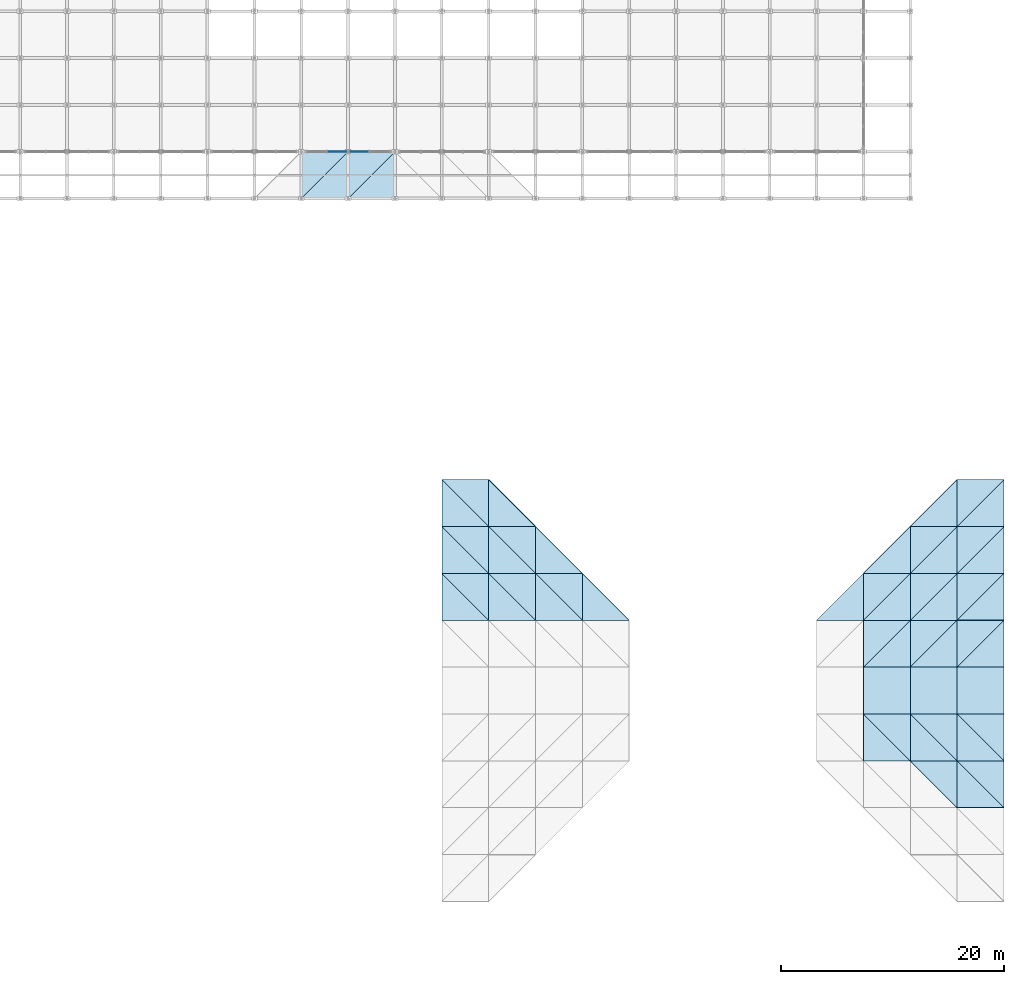
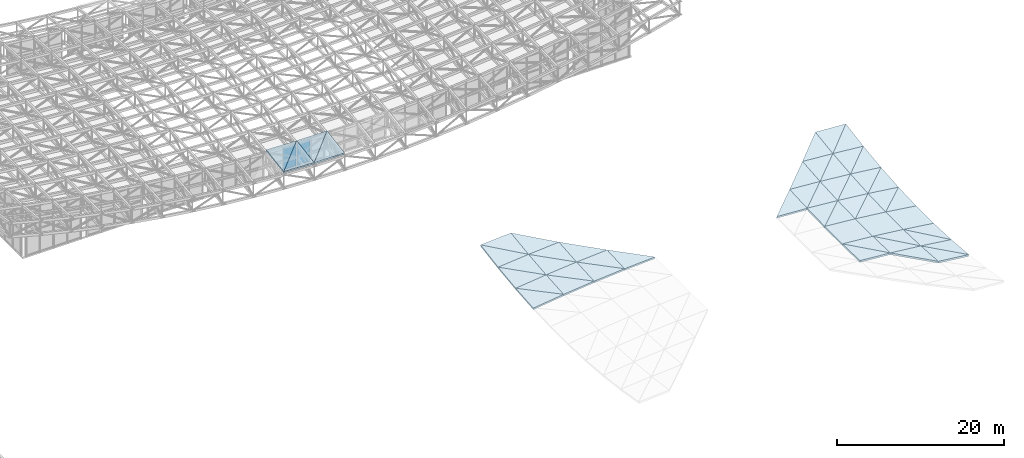
# One storey, part 67 of 111: 52 slabs, 2 plates, 2 elements without a shape of their own.
"""IFC4 building model written with IfcOpenShell, lengths in metres."""

from ifc_helpers import new_model, si_unit, direction, frame, origin, origin_2d, place, context, subcontext, project, spatial, polyline, rectangle, outline, extrude, material, layer, layer_set, type_object, element, aggregate, save


model = new_model("IFC4")

# Units and contexts
model_context = context("Model", 3, precision=1e-05, world=origin(), true_north=direction((0.0, 1.0)))
body_context = subcontext(model_context, "Body", "Model", "MODEL_VIEW")
ifc_project = project(units=[si_unit("LENGTHUNIT", "METRE"), si_unit("AREAUNIT", "SQUARE_METRE"), si_unit("VOLUMEUNIT", "CUBIC_METRE"), si_unit("PLANEANGLEUNIT", "RADIAN"), si_unit("MASSUNIT", "GRAM", prefix="KILO")], contexts=[model_context])

# Site, building, storey
site_placement = place(None, origin())
site = spatial("IfcSite", under=ifc_project, at=site_placement, CompositionType="ELEMENT")
building_placement = place(site_placement, origin())
building = spatial("IfcBuilding", under=site, at=building_placement, Name="Cumbredor Promenade Congress Hotel", CompositionType="ELEMENT")
storey_placement = place(building_placement, frame((0.0, 0.0, 15.1201171875)))
storey = spatial("IfcBuildingStorey", under=building, at=storey_placement, Name="L04", CompositionType="ELEMENT", Elevation=15.1201171875)

# Slabs
ifc_material_1 = material(Name="Concrete C40/50", Category="concrete")
ifc_layer_1 = layer(ifc_material_1, 0.25, Name="Concrete C40/50", Category="concrete")
ifc_layer_set_1 = layer_set([ifc_layer_1], Name="Concrete C40/50")
slab_type = type_object("IfcSlabType", Name="Catenary Space Frame Roof Deck 250mm", PredefinedType="ROOF", material=ifc_layer_set_1)
slab_1_placement = place(storey_placement, frame((138.60009765625, 42.0, 1.879150390625), z_axis=(-0.128557595316, -0.083349897589, 0.988193169), x_axis=(0.991643748834, 0.0, 0.129006493628)))
element("IfcSlab", 1, at=slab_1_placement, inside=storey, type_object=slab_type, Name="Grand Ballroom Pavilion Sweeping Roof Deck Facet 1.11.1", PredefinedType="ROOF", context=body_context, shape_type="SweptSolid", body=[
    extrude(outline(polyline([(0.0, 0.0), (4.2353427597492725, 0.0), (0.045700298402079224, 4.21461659081522), (0.0, 0.0)])), origin(), (0.0, 0.0, -1.0), 0.25),
])
slab_2_placement = place(storey_placement, frame((142.800048828125, 42.0, 2.425537109375), z_axis=(-0.114578573817, -0.069242556927, 0.990998092194), x_axis=(0.0, 0.997567885994, 0.069701598498)))
element("IfcSlab", 2, at=slab_2_placement, inside=storey, type_object=slab_type, Name="Grand Ballroom Pavilion Sweeping Roof Deck Facet 1.11.2", PredefinedType="ROOF", context=body_context, shape_type="SweptSolid", body=[
    extrude(outline(polyline([(0.0, 0.0), (4.21019083597457, 6.938893903907228e-18), (4.176344039242889, 4.227794629281164), (0.0, 0.0)])), origin(), (0.0, 0.0, -1.0), 0.25),
])
slab_3_placement = place(storey_placement, frame((138.60009765625, 46.199951171875, 2.2333984375), z_axis=(-0.113957332727, -0.124728563775, 0.985624934595), x_axis=(0.993382355075, 0.0, 0.114854240786)))
element("IfcSlab", 3, at=slab_3_placement, inside=storey, type_object=slab_type, Name="Grand Ballroom Pavilion Sweeping Roof Deck Facet 1.12.1", PredefinedType="ROOF", context=body_context, shape_type="SweptSolid", body=[
    extrude(outline(polyline([(0.0, 0.0), (4.227930112126695, 6.938893903907228e-18), (0.06104435600374476, 4.233007140822346), (0.0, 0.0)])), origin(), (0.0, 0.0, -1.0), 0.25),
])
slab_4_placement = place(storey_placement, frame((142.800048828125, 46.199951171875, 2.718994140625), z_axis=(-0.092963249321, -0.103784977416, 0.990245683019), x_axis=(0.0, 0.99455255237, 0.104236368768)))
element("IfcSlab", 4, at=slab_4_placement, inside=storey, type_object=slab_type, Name="Grand Ballroom Pavilion Sweeping Roof Deck Facet 1.12.2", PredefinedType="ROOF", context=body_context, shape_type="SweptSolid", body=[
    extrude(outline(polyline([(0.0, 0.0), (4.222955500808863, 0.0), (4.18185644427541, 4.218217993217697), (0.0, 0.0)])), origin(), (0.0, 0.0, -1.0), 0.25),
])
slab_5_placement = place(storey_placement, frame((138.60009765625, 50.39990234375, 2.764892578125), z_axis=(-0.092176241814, -0.165679304138, 0.981862469303), x_axis=(0.995622284371, 0.0, 0.093467999143)))
element("IfcSlab", 5, at=slab_5_placement, inside=storey, type_object=slab_type, Name="Grand Ballroom Pavilion Sweeping Roof Deck Facet 1.13.1", PredefinedType="ROOF", context=body_context, shape_type="SweptSolid", body=[
    extrude(outline(polyline([(0.0, 0.0), (4.218418207190164, 0.0), (0.06624453161926187, 4.2590568257537305), (0.0, 0.0)])), origin(), (0.0, 0.0, -1.0), 0.25),
])
slab_6_placement = place(storey_placement, frame((142.800048828125, 50.39990234375, 3.1591796875), z_axis=(-0.064059286663, -0.138049792157, 0.988351487416), x_axis=(0.0, 0.99038564581, 0.138333916931)))
element("IfcSlab", 6, at=slab_6_placement, inside=storey, type_object=slab_type, Name="Grand Ballroom Pavilion Sweeping Roof Deck Facet 1.13.2", PredefinedType="ROOF", context=body_context, shape_type="SweptSolid", body=[
    extrude(outline(polyline([(0.0, 0.0), (4.240969495337096, 0.0), (4.203312679570959, 4.208595228203994), (0.0, 0.0)])), origin(), (0.0, 0.0, -1.0), 0.25),
])
slab_7_placement = place(storey_placement, frame((142.800048828125, 42.0, 2.425537109375), z_axis=(-0.105582595074, -0.069312003976, 0.991992016965), x_axis=(0.99438347829, 0.0, 0.105837130079)))
element("IfcSlab", 7, at=slab_7_placement, inside=storey, type_object=slab_type, Name="Grand Ballroom Pavilion Sweeping Roof Deck Facet 2.11.1", PredefinedType="ROOF", context=body_context, shape_type="SweptSolid", body=[
    extrude(outline(polyline([(0.0, 0.0), (4.223673525928231, 0.0), (0.03105864998901073, 4.210076274319161), (0.0, 0.0)])), origin(), (0.0, 0.0, -1.0), 0.25),
])
slab_8_placement = place(storey_placement, frame((147.0, 42.0, 2.87255859375), z_axis=(-0.093942765329, -0.057602052296, 0.993909835153), x_axis=(0.0, 0.99832482726, 0.057857923198)))
element("IfcSlab", 8, at=slab_8_placement, inside=storey, type_object=slab_type, Name="Grand Ballroom Pavilion Sweeping Roof Deck Facet 2.11.2", PredefinedType="ROOF", context=body_context, shape_type="SweptSolid", body=[
    extrude(outline(polyline([(0.0, 0.0), (4.206998621283674, 0.0), (4.184030607826591, 4.218607543526916), (0.0, 0.0)])), origin(), (0.0, 0.0, -1.0), 0.25),
])
slab_9_placement = place(storey_placement, frame((142.800048828125, 46.199951171875, 2.718994140625), z_axis=(-0.093590907895, -0.103778848054, 0.990187200814), x_axis=(0.995562844443, 0.0, 0.094099005119)))
element("IfcSlab", 9, at=slab_9_placement, inside=storey, type_object=slab_type, Name="Grand Ballroom Pavilion Sweeping Roof Deck Facet 2.12.1", PredefinedType="ROOF", context=body_context, shape_type="SweptSolid", body=[
    extrude(outline(polyline([(0.0, 0.0), (4.218670067206532, 0.0), (0.04142102202875892, 4.222752356076061), (0.0, 0.0)])), origin(), (0.0, 0.0, -1.0), 0.25),
])
slab_10_placement = place(storey_placement, frame((147.0, 46.199951171875, 3.115966796875), z_axis=(-0.076219558009, -0.086439907833, 0.993337163963), x_axis=(0.0, 0.996235153728, 0.08669209005)))
element("IfcSlab", 10, at=slab_10_placement, inside=storey, type_object=slab_type, Name="Grand Ballroom Pavilion Sweeping Roof Deck Facet 2.12.2", PredefinedType="ROOF", context=body_context, shape_type="SweptSolid", body=[
    extrude(outline(polyline([(0.0, 0.0), (4.215823097749435, 0.0), (4.1878852171669125, 4.212204227482257), (0.0, 0.0)])), origin(), (0.0, 0.0, -1.0), 0.25),
])
slab_11_placement = place(storey_placement, frame((142.800048828125, 50.39990234375, 3.1591796875), z_axis=(-0.075774603391, -0.137936203025, 0.987538259196), x_axis=(0.997069127511, 0.0, 0.076505914568)))
element("IfcSlab", 11, at=slab_11_placement, inside=storey, type_object=slab_type, Name="Grand Ballroom Pavilion Sweeping Roof Deck Facet 2.13.1", PredefinedType="ROOF", context=body_context, shape_type="SweptSolid", body=[
    extrude(outline(polyline([(0.0, 0.0), (4.212296876905856, -6.938893903907228e-18), (0.04488371892263795, 4.240731978344713), (0.0, 0.0)])), origin(), (0.0, 0.0, -1.0), 0.25),
])
slab_12_placement = place(storey_placement, frame((147.0, 42.0, 2.87255859375), z_axis=(-0.082299424482, -0.057661648776, 0.994938158375), x_axis=(0.996596312275, 0.0, 0.082436583873)))
element("IfcSlab", 12, at=slab_12_placement, inside=storey, type_object=slab_type, Name="Grand Ballroom Pavilion Sweeping Roof Deck Facet 3.11.1", PredefinedType="ROOF", context=body_context, shape_type="SweptSolid", body=[
    extrude(outline(polyline([(0.0, 0.0), (4.214295317117035, 0.0), (0.020065740752283952, 4.206950768137273), (0.0, 0.0)])), origin(), (0.0, 0.0, -1.0), 0.25),
])
slab_13_placement = place(storey_placement, frame((151.199951171875, 42.0, 3.219970703125), z_axis=(-0.073306475585, -0.048639367687, 0.996122669428), x_axis=(0.0, 0.998810006887, 0.048770586862)))
element("IfcSlab", 13, at=slab_13_placement, inside=storey, type_object=slab_type, Name="Grand Ballroom Pavilion Sweeping Roof Deck Facet 3.11.2", PredefinedType="ROOF", context=body_context, shape_type="SweptSolid", body=[
    extrude(outline(polyline([(0.0, 0.0), (4.204955039413347, 0.0), (4.189880927360823, 4.211281790538558), (0.0, 0.0)])), origin(), (0.0, 0.0, -1.0), 0.25),
])
slab_14_placement = place(storey_placement, frame((147.0, 46.199951171875, 3.115966796875), z_axis=(-0.073118508929, -0.086460037809, 0.9935684906), x_axis=(0.997303071851, 0.0, 0.073393343543)))
element("IfcSlab", 14, at=slab_14_placement, inside=storey, type_object=slab_type, Name="Grand Ballroom Pavilion Sweeping Roof Deck Facet 3.12.1", PredefinedType="ROOF", context=body_context, shape_type="SweptSolid", body=[
    extrude(outline(polyline([(0.0, 0.0), (4.211308769037935, 0.0), (0.026823690254708158, 4.2157377623802414), (0.0, 0.0)])), origin(), (0.0, 0.0, -1.0), 0.25),
])
slab_15_placement = place(storey_placement, frame((151.199951171875, 42.0, 3.219970703125), z_axis=(-0.058944578235, -0.048685787332, 0.997073332714), x_axis=(0.998257121983, 0.0, 0.05901456101)))
element("IfcSlab", 15, at=slab_15_placement, inside=storey, type_object=slab_type, Name="Grand Ballroom Pavilion Sweeping Roof Deck Facet 4.11.1", PredefinedType="ROOF", context=body_context, shape_type="SweptSolid", body=[
    extrude(outline(polyline([(0.0, 0.0), (4.20728395459283, 0.0), (0.012102595519642914, 4.204937622684717), (0.0, 0.0)])), origin(), (0.0, 0.0, -1.0), 0.25),
])
slab_16_placement = place(storey_placement, frame((172.199951171875, 42.0, 3.46826171875), z_axis=(0.058944578235, -0.048685787332, 0.997073332714), x_axis=(0.998257121983, 0.0, -0.05901456101)))
element("IfcSlab", 16, at=slab_16_placement, inside=storey, type_object=slab_type, Name="Grand Ballroom Pavilion Sweeping Roof Deck Facet 9.11.1", PredefinedType="ROOF", context=body_context, shape_type="SweptSolid", body=[
    extrude(outline(polyline([(0.0, 0.0), (4.20728395459283, 0.0), (4.195181359073187, 4.204937622684717), (0.0, 0.0)])), origin(), (0.0, 0.0, -1.0), 0.25),
])
slab_17_placement = place(storey_placement, frame((176.39990234375, 29.39990234375, 3.219970703125), z_axis=(0.082407554088, 0.02426476821, 0.996303275139), x_axis=(0.996596705931, 0.0, -0.082431824723)))
element("IfcSlab", 17, at=slab_17_placement, inside=storey, type_object=slab_type, Name="Grand Ballroom Pavilion Sweeping Roof Deck Facet 10.8.1", PredefinedType="ROOF", context=body_context, shape_type="SweptSolid", body=[
    extrude(outline(polyline([(0.0, 0.0), (4.214538626811642, 0.0), (0.008432357070085737, 4.2014323521321435), (0.0, 0.0)])), origin(), (0.0, 0.0, -1.0), 0.25),
])
slab_18_placement = place(storey_placement, frame((180.60009765625, 29.39990234375, 2.87255859375), z_axis=(0.086995596373, 0.028882769521, 0.995789913504), x_axis=(0.0, 0.999579623616, -0.028992689618)))
element("IfcSlab", 18, at=slab_18_placement, inside=storey, type_object=slab_type, Name="Grand Ballroom Pavilion Sweeping Roof Deck Facet 10.8.2", PredefinedType="ROOF", context=body_context, shape_type="SweptSolid", body=[
    extrude(outline(polyline([(0.0, 0.0), (4.2019617179718205, -1.734723475976807e-18), (4.191323043046151, 4.216180132623868), (0.0, 0.0)])), origin(), (0.0, 0.0, -1.0), 0.25),
])
slab_19_placement = place(storey_placement, frame((176.39990234375, 33.60009765625, 3.11767578125), z_axis=(0.08703190558, 0.0, 0.996205524684), x_axis=(0.996205524684, 0.0, -0.08703190558)))
element("IfcSlab", 19, at=slab_19_placement, inside=storey, type_object=slab_type, Name="Grand Ballroom Pavilion Sweeping Roof Deck Facet 10.9", PredefinedType="ROOF", context=body_context, shape_type="SweptSolid", body=[
    extrude(outline(polyline([(0.0, 0.0), (4.216193554871074, 0.0), (4.216193554871074, 4.199951171874999), (0.0, 4.199951171874999), (0.0, 0.0)])), origin(), (0.0, 0.0, -1.0), 0.25),
])
slab_20_placement = place(storey_placement, frame((176.39990234375, 37.800048828125, 3.11767578125), z_axis=(0.086995592154, -0.028884447058, 0.995789865215), x_axis=(0.996205524684, 0.0, -0.08703190558)))
element("IfcSlab", 20, at=slab_20_placement, inside=storey, type_object=slab_type, Name="Grand Ballroom Pavilion Sweeping Roof Deck Facet 10.10.1", PredefinedType="ROOF", context=body_context, shape_type="SweptSolid", body=[
    extrude(outline(polyline([(0.0, 0.0), (4.216193554871074, 1.734723475976807e-18), (4.205590790983263, 4.201704302266623), (0.0, 0.0)])), origin(), (0.0, 0.0, -1.0), 0.25),
])
slab_21_placement = place(storey_placement, frame((176.39990234375, 37.800048828125, 3.11767578125), z_axis=(0.082407551267, -0.024266177876, 0.996303241039), x_axis=(0.706525996172, 0.70648492863, -0.041231812378)))
element("IfcSlab", 21, at=slab_21_placement, inside=storey, type_object=slab_type, Name="Grand Ballroom Pavilion Sweeping Roof Deck Facet 10.10.2", PredefinedType="ROOF", context=body_context, shape_type="SweptSolid", body=[
    extrude(outline(polyline([(0.0, 0.0), (5.944856007077805, 6.38378239159465e-16), (2.962984398884889, 2.9783850572315784), (0.0, 0.0)])), origin(), (0.0, 0.0, -1.0), 0.25),
])
slab_22_placement = place(storey_placement, frame((176.39990234375, 42.0, 3.219970703125), z_axis=(0.082294673143, -0.057661671477, 0.99493855007), x_axis=(0.996596705931, 0.0, -0.082431824723)))
element("IfcSlab", 22, at=slab_22_placement, inside=storey, type_object=slab_type, Name="Grand Ballroom Pavilion Sweeping Roof Deck Facet 10.11.1", PredefinedType="ROOF", context=body_context, shape_type="SweptSolid", body=[
    extrude(outline(polyline([(0.0, 0.0), (4.214538626811642, 0.0), (4.194474044475424, 4.206950773662369), (0.0, 0.0)])), origin(), (0.0, 0.0, -1.0), 0.25),
])
slab_23_placement = place(storey_placement, frame((176.39990234375, 42.0, 3.219970703125), z_axis=(0.073302237468, -0.04863938288, 0.996122980568), x_axis=(0.707018958571, 0.706977862375, -0.01750697956)))
element("IfcSlab", 23, at=slab_23_placement, inside=storey, type_object=slab_type, Name="Grand Ballroom Pavilion Sweeping Roof Deck Facet 10.11.2", PredefinedType="ROOF", context=body_context, shape_type="SweptSolid", body=[
    extrude(outline(polyline([(0.0, 0.0), (5.940711011469622, 4.354155924701786e-16), (2.965682203027972, 2.9810025082396123), (0.0, 0.0)])), origin(), (0.0, 0.0, -1.0), 0.25),
])
slab_24_placement = place(storey_placement, frame((176.39990234375, 46.199951171875, 3.425048828125), z_axis=(0.073114281561, -0.086460064677, 0.993568799353), x_axis=(0.997303384098, 0.0, -0.073389100457)))
element("IfcSlab", 24, at=slab_24_placement, inside=storey, type_object=slab_type, Name="Grand Ballroom Pavilion Sweeping Roof Deck Facet 10.12.1", PredefinedType="ROOF", context=body_context, shape_type="SweptSolid", body=[
    extrude(outline(polyline([(0.0, 0.0), (4.211552251271328, 0.0), (4.184730111773116, 4.215737772247032), (0.0, 0.0)])), origin(), (0.0, 0.0, -1.0), 0.25),
])
slab_25_placement = place(storey_placement, frame((184.800048828125, 25.199951171875, 2.718994140625), z_axis=(0.105582595074, 0.069312003976, 0.991992016965), x_axis=(0.0, 0.997567885994, -0.069701598498)))
element("IfcSlab", 25, at=slab_25_placement, inside=storey, type_object=slab_type, Name="Grand Ballroom Pavilion Sweeping Roof Deck Facet 11.7.2", PredefinedType="ROOF", context=body_context, shape_type="SweptSolid", body=[
    extrude(outline(polyline([(0.0, 0.0), (4.21019083597457, 3.469446951953614e-18), (4.179032723950584, 4.223558597401262), (0.0, 0.0)])), origin(), (0.0, 0.0, -1.0), 0.25),
])
slab_26_placement = place(storey_placement, frame((180.60009765625, 29.39990234375, 2.87255859375), z_axis=(0.105793136709, 0.028829987275, 0.993970142438), x_axis=(0.99438347829, 0.0, -0.105837130079)))
element("IfcSlab", 26, at=slab_26_placement, inside=storey, type_object=slab_type, Name="Grand Ballroom Pavilion Sweeping Roof Deck Facet 11.8.1", PredefinedType="ROOF", context=body_context, shape_type="SweptSolid", body=[
    extrude(outline(polyline([(0.0, 0.0), (4.223673525928231, 0.0), (0.012893732399764024, 4.201941935696576), (0.0, 0.0)])), origin(), (0.0, 0.0, -1.0), 0.25),
])
slab_27_placement = place(storey_placement, frame((184.800048828125, 29.39990234375, 2.425537109375), z_axis=(0.111594208283, 0.034694371845, 0.993148041955), x_axis=(0.0, 0.99939037495, -0.03491243986)))
element("IfcSlab", 27, at=slab_27_placement, inside=storey, type_object=slab_type, Name="Grand Ballroom Pavilion Sweeping Roof Deck Facet 11.8.2", PredefinedType="ROOF", context=body_context, shape_type="SweptSolid", body=[
    extrude(outline(polyline([(0.0, 0.0), (4.202757418700786, 0.0), (4.1862814064330465, 4.226349546204869), (0.0, 0.0)])), origin(), (0.0, 0.0, -1.0), 0.25),
])
slab_28_placement = place(storey_placement, frame((180.60009765625, 33.60009765625, 2.750732421875), z_axis=(0.11166143192, 0.0, 0.993746307979), x_axis=(0.993746307979, 0.0, -0.11166143192)))
element("IfcSlab", 28, at=slab_28_placement, inside=storey, type_object=slab_type, Name="Grand Ballroom Pavilion Sweeping Roof Deck Facet 11.9", PredefinedType="ROOF", context=body_context, shape_type="SweptSolid", body=[
    extrude(outline(polyline([(0.0, 0.0), (4.226381661147789, 0.0), (4.226381661147789, 4.199951171875), (0.0, 4.199951171875), (0.0, 0.0)])), origin(), (0.0, 0.0, -1.0), 0.25),
])
slab_29_placement = place(storey_placement, frame((180.60009765625, 37.800048828125, 2.750732421875), z_axis=(0.111594200475, -0.03469638618, 0.993147972463), x_axis=(0.993746307979, 0.0, -0.11166143192)))
element("IfcSlab", 29, at=slab_29_placement, inside=storey, type_object=slab_type, Name="Grand Ballroom Pavilion Sweeping Roof Deck Facet 11.10.1", PredefinedType="ROOF", context=body_context, shape_type="SweptSolid", body=[
    extrude(outline(polyline([(0.0, 0.0), (4.226381661147789, -3.469446951953614e-18), (4.209997744989577, 4.202481489634788), (0.0, 0.0)])), origin(), (0.0, 0.0, -1.0), 0.25),
])
slab_30_placement = place(storey_placement, frame((180.60009765625, 37.800048828125, 2.750732421875), z_axis=(0.105793131597, -0.028831661752, 0.993970094413), x_axis=(0.706049355032, 0.706049355032, -0.054668240476)))
element("IfcSlab", 30, at=slab_30_placement, inside=storey, type_object=slab_type, Name="Grand Ballroom Pavilion Sweeping Roof Deck Facet 11.10.2", PredefinedType="ROOF", context=body_context, shape_type="SweptSolid", body=[
    extrude(outline(polyline([(0.0, 0.0), (5.94852348768502, 7.28583859910259e-17), (2.9587127936095587, 2.9833622085189435), (0.0, 0.0)])), origin(), (0.0, 0.0, -1.0), 0.25),
])
slab_31_placement = place(storey_placement, frame((180.60009765625, 42.0, 2.87255859375), z_axis=(0.105582595074, -0.069312003976, 0.991992016965), x_axis=(0.99438347829, 0.0, -0.105837130079)))
element("IfcSlab", 31, at=slab_31_placement, inside=storey, type_object=slab_type, Name="Grand Ballroom Pavilion Sweeping Roof Deck Facet 11.11.1", PredefinedType="ROOF", context=body_context, shape_type="SweptSolid", body=[
    extrude(outline(polyline([(0.0, 0.0), (4.223673525928231, 0.0), (4.1926148759392206, 4.210076274319161), (0.0, 0.0)])), origin(), (0.0, 0.0, -1.0), 0.25),
])
slab_32_placement = place(storey_placement, frame((180.60009765625, 42.0, 2.87255859375), z_axis=(0.093942765329, -0.057602052296, 0.993909835153), x_axis=(0.706870570107, 0.706870570107, -0.02584558441)))
element("IfcSlab", 32, at=slab_32_placement, inside=storey, type_object=slab_type, Name="Grand Ballroom Pavilion Sweeping Roof Deck Facet 11.11.2", PredefinedType="ROOF", context=body_context, shape_type="SweptSolid", body=[
    extrude(outline(polyline([(0.0, 0.0), (5.94161272160446, -1.97758476261356e-16), (2.962530852024616, 2.98701328257593), (0.0, 0.0)])), origin(), (0.0, 0.0, -1.0), 0.25),
])
slab_33_placement = place(storey_placement, frame((180.60009765625, 46.199951171875, 3.115966796875), z_axis=(0.093590907895, -0.103778848054, 0.990187200814), x_axis=(0.995562844443, 0.0, -0.094099005119)))
element("IfcSlab", 33, at=slab_33_placement, inside=storey, type_object=slab_type, Name="Grand Ballroom Pavilion Sweeping Roof Deck Facet 11.12.1", PredefinedType="ROOF", context=body_context, shape_type="SweptSolid", body=[
    extrude(outline(polyline([(0.0, 0.0), (4.218670067206532, 0.0), (4.177249045177773, 4.222752356076061), (0.0, 0.0)])), origin(), (0.0, 0.0, -1.0), 0.25),
])
slab_34_placement = place(storey_placement, frame((180.60009765625, 46.199951171875, 3.115966796875), z_axis=(0.076219558009, -0.086439907833, 0.993337163963), x_axis=(0.707088068079, 0.707088068079, 0.007275160614)))
element("IfcSlab", 34, at=slab_34_placement, inside=storey, type_object=slab_type, Name="Grand Ballroom Pavilion Sweeping Roof Deck Facet 11.12.2", PredefinedType="ROOF", context=body_context, shape_type="SweptSolid", body=[
    extrude(outline(polyline([(0.0, 0.0), (5.93978510101035, 2.8189256484623115e-16), (2.9723942750475123, 2.9896549408221706), (0.0, 0.0)])), origin(), (0.0, 0.0, -1.0), 0.25),
])
slab_35_placement = place(storey_placement, frame((180.60009765625, 50.39990234375, 3.4814453125), z_axis=(0.075774603391, -0.137936203025, 0.987538259196), x_axis=(0.997069127511, 0.0, -0.076505914568)))
element("IfcSlab", 35, at=slab_35_placement, inside=storey, type_object=slab_type, Name="Grand Ballroom Pavilion Sweeping Roof Deck Facet 11.13.1", PredefinedType="ROOF", context=body_context, shape_type="SweptSolid", body=[
    extrude(outline(polyline([(0.0, 0.0), (4.212296876905856, 6.938893903907228e-18), (4.167413157983217, 4.240731978344713), (0.0, 0.0)])), origin(), (0.0, 0.0, -1.0), 0.25),
])
slab_36_placement = place(storey_placement, frame((184.800048828125, 25.199951171875, 2.718994140625), z_axis=(0.114578573817, 0.069242556927, 0.990998092194), x_axis=(0.993382355075, 0.0, -0.114854240786)))
element("IfcSlab", 36, at=slab_36_placement, inside=storey, type_object=slab_type, Name="Grand Ballroom Pavilion Sweeping Roof Deck Facet 12.7.1", PredefinedType="ROOF", context=body_context, shape_type="SweptSolid", body=[
    extrude(outline(polyline([(0.0, 0.0), (4.227930112126695, 0.0), (0.03370478452756142, 4.2100559215792135), (0.0, 0.0)])), origin(), (0.0, 0.0, -1.0), 0.25),
])
slab_37_placement = place(storey_placement, frame((189.0, 25.199951171875, 2.2333984375), z_axis=(0.128557595316, 0.083349897589, 0.988193169), x_axis=(0.0, 0.99646176457, -0.084047318514)))
element("IfcSlab", 37, at=slab_37_placement, inside=storey, type_object=slab_type, Name="Grand Ballroom Pavilion Sweeping Roof Deck Facet 12.7.2", PredefinedType="ROOF", context=body_context, shape_type="SweptSolid", body=[
    extrude(outline(polyline([(0.0, 0.0), (4.214864354264433, 0.0), (4.168942015681984, 4.2350937925127115), (0.0, 0.0)])), origin(), (0.0, 0.0, -1.0), 0.25),
])
slab_38_placement = place(storey_placement, frame((184.800048828125, 29.39990234375, 2.425537109375), z_axis=(0.128929155735, 0.034621053896, 0.99104926993), x_axis=(0.991643748834, 0.0, -0.129006493628)))
element("IfcSlab", 38, at=slab_38_placement, inside=storey, type_object=slab_type, Name="Grand Ballroom Pavilion Sweeping Roof Deck Facet 12.8.1", PredefinedType="ROOF", context=body_context, shape_type="SweptSolid", body=[
    extrude(outline(polyline([(0.0, 0.0), (4.2353427597492725, -3.469446951953614e-18), (0.018928931316092083, 4.2027147911800675), (0.0, 0.0)])), origin(), (0.0, 0.0, -1.0), 0.25),
])
slab_39_placement = place(storey_placement, frame((189.0, 29.39990234375, 1.879150390625), z_axis=(0.135963216815, 0.041770443432, 0.989832932231), x_axis=(0.0, 0.999110789038, -0.042161964243)))
element("IfcSlab", 39, at=slab_39_placement, inside=storey, type_object=slab_type, Name="Grand Ballroom Pavilion Sweeping Roof Deck Facet 12.8.2", PredefinedType="ROOF", context=body_context, shape_type="SweptSolid", body=[
    extrude(outline(polyline([(0.0, 0.0), (4.203933496250459, 0.0), (4.179610077913826, 4.239317962267922), (0.0, 0.0)])), origin(), (0.0, 0.0, -1.0), 0.25),
])
slab_40_placement = place(storey_placement, frame((184.800048828125, 33.60009765625, 2.27880859375), z_axis=(0.136081984521, 0.0, 0.990697579228), x_axis=(0.990697579228, 0.0, -0.136081984521)))
element("IfcSlab", 40, at=slab_40_placement, inside=storey, type_object=slab_type, Name="Grand Ballroom Pavilion Sweeping Roof Deck Facet 12.9", PredefinedType="ROOF", context=body_context, shape_type="SweptSolid", body=[
    extrude(outline(polyline([(0.0, 0.0), (4.239387740451093, 0.0), (4.239387740451093, 4.199951171875001), (0.0, 4.199951171875001), (0.0, 0.0)])), origin(), (0.0, 0.0, -1.0), 0.25),
])
slab_41_placement = place(storey_placement, frame((184.800048828125, 37.800048828125, 2.27880859375), z_axis=(0.135963203024, -0.041772867286, 0.989832831837), x_axis=(0.990697579228, 0.0, -0.136081984521)))
element("IfcSlab", 41, at=slab_41_placement, inside=storey, type_object=slab_type, Name="Grand Ballroom Pavilion Sweeping Roof Deck Facet 12.10.1", PredefinedType="ROOF", context=body_context, shape_type="SweptSolid", body=[
    extrude(outline(polyline([(0.0, 0.0), (4.239387740451093, 0.0), (4.215267740264981, 4.203620374091224), (0.0, 0.0)])), origin(), (0.0, 0.0, -1.0), 0.25),
])
slab_42_placement = place(storey_placement, frame((184.800048828125, 37.800048828125, 2.27880859375), z_axis=(0.128929146751, -0.034623063985, 0.991049200877), x_axis=(0.705511481281, 0.705511481281, -0.067134935468)))
element("IfcSlab", 42, at=slab_42_placement, inside=storey, type_object=slab_type, Name="Grand Ballroom Pavilion Sweeping Roof Deck Facet 12.10.2", PredefinedType="ROOF", context=body_context, shape_type="SweptSolid", body=[
    extrude(outline(polyline([(0.0, 0.0), (5.953058572834092, -1.6653345369377348e-16), (2.9532631631511865, 2.989875548012985), (0.0, 0.0)])), origin(), (0.0, 0.0, -1.0), 0.25),
])
slab_43_placement = place(storey_placement, frame((184.800048828125, 42.0, 2.425537109375), z_axis=(0.128557595316, -0.083349897589, 0.988193169), x_axis=(0.991643748834, 0.0, -0.129006493628)))
element("IfcSlab", 43, at=slab_43_placement, inside=storey, type_object=slab_type, Name="Grand Ballroom Pavilion Sweeping Roof Deck Facet 12.11.1", PredefinedType="ROOF", context=body_context, shape_type="SweptSolid", body=[
    extrude(outline(polyline([(0.0, 0.0), (4.2353427597492725, 0.0), (4.1896424613471925, 4.214616590815219), (0.0, 0.0)])), origin(), (0.0, 0.0, -1.0), 0.25),
])
slab_44_placement = place(storey_placement, frame((184.800048828125, 42.0, 2.425537109375), z_axis=(0.114578573817, -0.069242556927, 0.990998092194), x_axis=(0.706737101646, 0.706737101646, -0.032331692088)))
element("IfcSlab", 44, at=slab_44_placement, inside=storey, type_object=slab_type, Name="Grand Ballroom Pavilion Sweeping Roof Deck Facet 12.11.2", PredefinedType="ROOF", context=body_context, shape_type="SweptSolid", body=[
    extrude(outline(polyline([(0.0, 0.0), (5.942734804910805, -3.0531133177191805e-16), (2.958773355891209, 2.995224049014117), (0.0, 0.0)])), origin(), (0.0, 0.0, -1.0), 0.25),
])
slab_45_placement = place(storey_placement, frame((184.800048828125, 46.199951171875, 2.718994140625), z_axis=(0.113957332727, -0.124728563775, 0.985624934595), x_axis=(0.993382355075, 0.0, -0.114854240786)))
element("IfcSlab", 45, at=slab_45_placement, inside=storey, type_object=slab_type, Name="Grand Ballroom Pavilion Sweeping Roof Deck Facet 12.12.1", PredefinedType="ROOF", context=body_context, shape_type="SweptSolid", body=[
    extrude(outline(polyline([(0.0, 0.0), (4.227930112126695, -6.938893903907228e-18), (4.166885756122951, 4.233007140822346), (0.0, 0.0)])), origin(), (0.0, 0.0, -1.0), 0.25),
])
slab_46_placement = place(storey_placement, frame((184.800048828125, 46.199951171875, 2.718994140625), z_axis=(0.092963249321, -0.103784977416, 0.990245683019), x_axis=(0.707085669988, 0.707085669988, 0.007727263033)))
element("IfcSlab", 46, at=slab_46_placement, inside=storey, type_object=slab_type, Name="Grand Ballroom Pavilion Sweeping Roof Deck Facet 12.12.2", PredefinedType="ROOF", context=body_context, shape_type="SweptSolid", body=[
    extrude(outline(polyline([(0.0, 0.0), (5.939805245867352, 3.712308238590367e-16), (2.9731267177880483, 2.998978272976765), (0.0, 0.0)])), origin(), (0.0, 0.0, -1.0), 0.25),
])
slab_47_placement = place(storey_placement, frame((184.800048828125, 50.39990234375, 3.1591796875), z_axis=(0.092176241814, -0.165679304138, 0.981862469303), x_axis=(0.995622284371, 0.0, -0.093467999143)))
element("IfcSlab", 47, at=slab_47_placement, inside=storey, type_object=slab_type, Name="Grand Ballroom Pavilion Sweeping Roof Deck Facet 12.13.1", PredefinedType="ROOF", context=body_context, shape_type="SweptSolid", body=[
    extrude(outline(polyline([(0.0, 0.0), (4.218418207190164, 0.0), (4.152173675570902, 4.2590568257537305), (0.0, 0.0)])), origin(), (0.0, 0.0, -1.0), 0.25),
])
slab_48_placement = place(storey_placement, frame((184.800048828125, 50.39990234375, 3.1591796875), z_axis=(0.064059286663, -0.138049792157, 0.988351487416), x_axis=(0.706097451672, 0.706138496691, 0.052865983709)))
element("IfcSlab", 48, at=slab_48_placement, inside=storey, type_object=slab_type, Name="Grand Ballroom Pavilion Sweeping Roof Deck Facet 12.13.2", PredefinedType="ROOF", context=body_context, shape_type="SweptSolid", body=[
    extrude(outline(polyline([(0.0, 0.0), (5.9481182971678885, -1.1796119636642288e-16), (2.996934486308338, 3.0007009089803622), (0.0, 0.0)])), origin(), (0.0, 0.0, -1.0), 0.25),
])
slab_49_placement = place(storey_placement, frame((126.0, 79.800048828125, 3.29150390625), z_axis=(0.037281756976, -0.158189362676, 0.986704715775), x_axis=(0.999286944012, 0.0, -0.037757165239)))
element("IfcSlab", 49, at=slab_49_placement, inside=storey, type_object=slab_type, Name="Pre-Function and Breakout Meeting Forum Sweeping Roof Deck Facet 10.1.1", PredefinedType="ROOF", context=body_context, shape_type="SweptSolid", body=[
    extrude(outline(polyline([(0.0, 0.0), (4.2029481091909515, 0.0), (4.177524705448427, 4.25350796894253), (0.0, 0.0)])), origin(), (0.0, 0.0, -1.0), 0.25),
])
slab_50_placement = place(storey_placement, frame((126.0, 79.800048828125, 3.29150390625), z_axis=(0.029753049423, -0.150833026609, 0.988111407754), x_axis=(0.70446728628, 0.70446728628, 0.086323143607)))
element("IfcSlab", 50, at=slab_50_placement, inside=storey, type_object=slab_type, Name="Pre-Function and Breakout Meeting Forum Sweeping Roof Deck Facet 10.1.2", PredefinedType="ROOF", context=body_context, shape_type="SweptSolid", body=[
    extrude(outline(polyline([(0.0, 0.0), (5.961882480097168, 9.71445146547012e-17), (3.0140711184057296, 2.994326531746623), (0.0, 0.0)])), origin(), (0.0, 0.0, -1.0), 0.25),
])
slab_51_placement = place(storey_placement, frame((130.199951171875, 79.800048828125, 3.1328125), z_axis=(0.012449049297, -0.160747631938, 0.98691702792), x_axis=(0.999920451999, 0.0, -0.012613075515)))
element("IfcSlab", 51, at=slab_51_placement, inside=storey, type_object=slab_type, Name="Pre-Function and Breakout Meeting Forum Sweeping Roof Deck Facet 11.1.1", PredefinedType="ROOF", context=body_context, shape_type="SweptSolid", body=[
    extrude(outline(polyline([(0.0, 0.0), (4.200285296173584, 1.734723475976807e-18), (4.191656917855004, 4.25528890002793), (0.0, 0.0)])), origin(), (0.0, 0.0, -1.0), 0.25),
])
slab_52_placement = place(storey_placement, frame((130.199951171875, 79.800048828125, 3.1328125), z_axis=(0.009929096646, -0.158291610113, 0.987342483239), x_axis=(0.70314874896, 0.70314874896, 0.105658287279)))
element("IfcSlab", 52, at=slab_52_placement, inside=storey, type_object=slab_type, Name="Pre-Function and Breakout Meeting Forum Sweeping Roof Deck Facet 11.1.2", PredefinedType="ROOF", context=body_context, shape_type="SweptSolid", body=[
    extrude(outline(polyline([(0.0, 0.0), (5.973062140954387, 2.7755575615628914e-16), (3.024334346846225, 2.9910496735764323), (0.0, 0.0)])), origin(), (0.0, 0.0, -1.0), 0.25),
])

# Curtain wall, plate
ifc_material_2 = material(Name="Thermally broken anodized aluminium and low-E glass", Category="aluminium")
curtain_wall_type = type_object("IfcCurtainWallType", Name="Stepped Pavilion Clerestory Curtain Wall CW-06", PredefinedType="NOTDEFINED", material=ifc_material_2)
curtain_wall_1_placement = place(storey_placement, origin())
curtain_wall_1 = element("IfcCurtainWall", 53, at=curtain_wall_1_placement, inside=storey, type_object=curtain_wall_type, Name="Pre-Function and Breakout Meeting Forum S Glazed Clerestory 9", PredefinedType="NOTDEFINED")
ifc_material_3 = material(Name="Laminated low-E solar-control glass", Category="glass")
ifc_layer_2 = layer(ifc_material_3, 0.031982421875, Name="Laminated low-E solar-control glass", Category="glass")
ifc_layer_set_2 = layer_set([ifc_layer_2], Name="Laminated low-E solar-control glass")
plate_type = type_object("IfcPlateType", Name="Clerestory Glazed Vision Panel PNL-07", PredefinedType="CURTAIN_PANEL", material=ifc_layer_set_2)
plate_1_placement = place(storey_placement, frame((129.22998046875, 84.0, 0.169921875), z_axis=(0.0, 0.0, 1.0), x_axis=(1.0, 0.0, 0.0)))
plate_1 = element("IfcPlate", 54, at=plate_1_placement, type_object=plate_type, Name="Pre-Function and Breakout Meeting Forum S Glazed Clerestory 9 Glazing Panel 2.1", PredefinedType="CURTAIN_PANEL", context=body_context, shape_type="SweptSolid", body=[
    extrude(rectangle(XDim=1.77490234375, YDim=0.031982421875, at=origin_2d()), origin(), (0.0, 0.0, 1.0), 3.2099609375),
])
aggregate(curtain_wall_1, [plate_1])

curtain_wall_2_placement = place(storey_placement, origin())
curtain_wall_2 = element("IfcCurtainWall", 55, at=curtain_wall_2_placement, inside=storey, type_object=curtain_wall_type, Name="Pre-Function and Breakout Meeting Forum S Glazed Clerestory 10", PredefinedType="NOTDEFINED")
plate_2_placement = place(storey_placement, frame((131.169921875, 84.0, 0.169921875), z_axis=(0.0, 0.0, 1.0), x_axis=(1.0, 0.0, 0.0)))
plate_2 = element("IfcPlate", 56, at=plate_2_placement, type_object=plate_type, Name="Pre-Function and Breakout Meeting Forum S Glazed Clerestory 10 Glazing Panel 1.1", PredefinedType="CURTAIN_PANEL", context=body_context, shape_type="SweptSolid", body=[
    extrude(rectangle(XDim=1.77490234375, YDim=0.031982421875, at=origin_2d()), origin(), (0.0, 0.0, 1.0), 3.169921875),
])
aggregate(curtain_wall_2, [plate_2])

save(model, "model.ifc")
